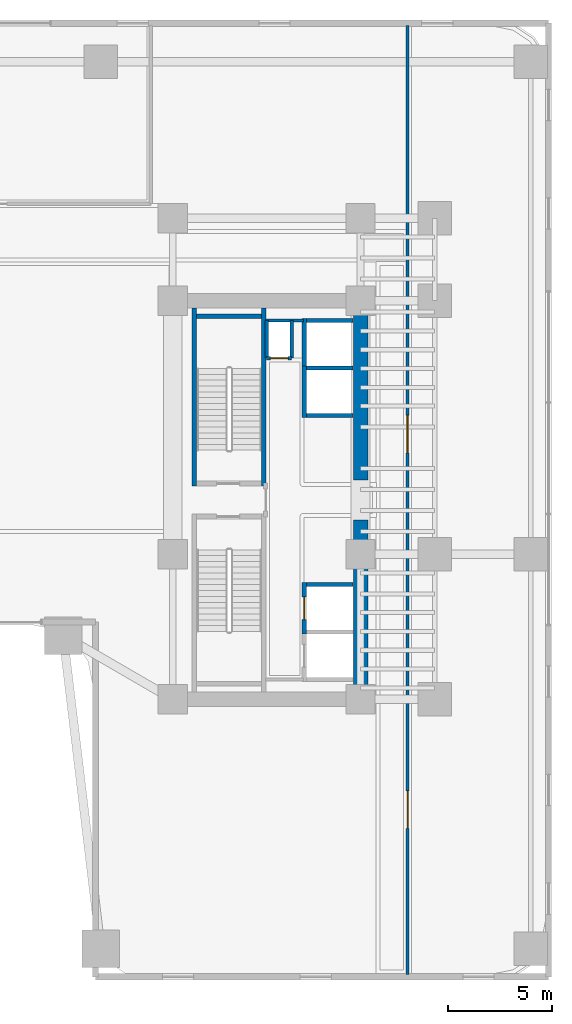
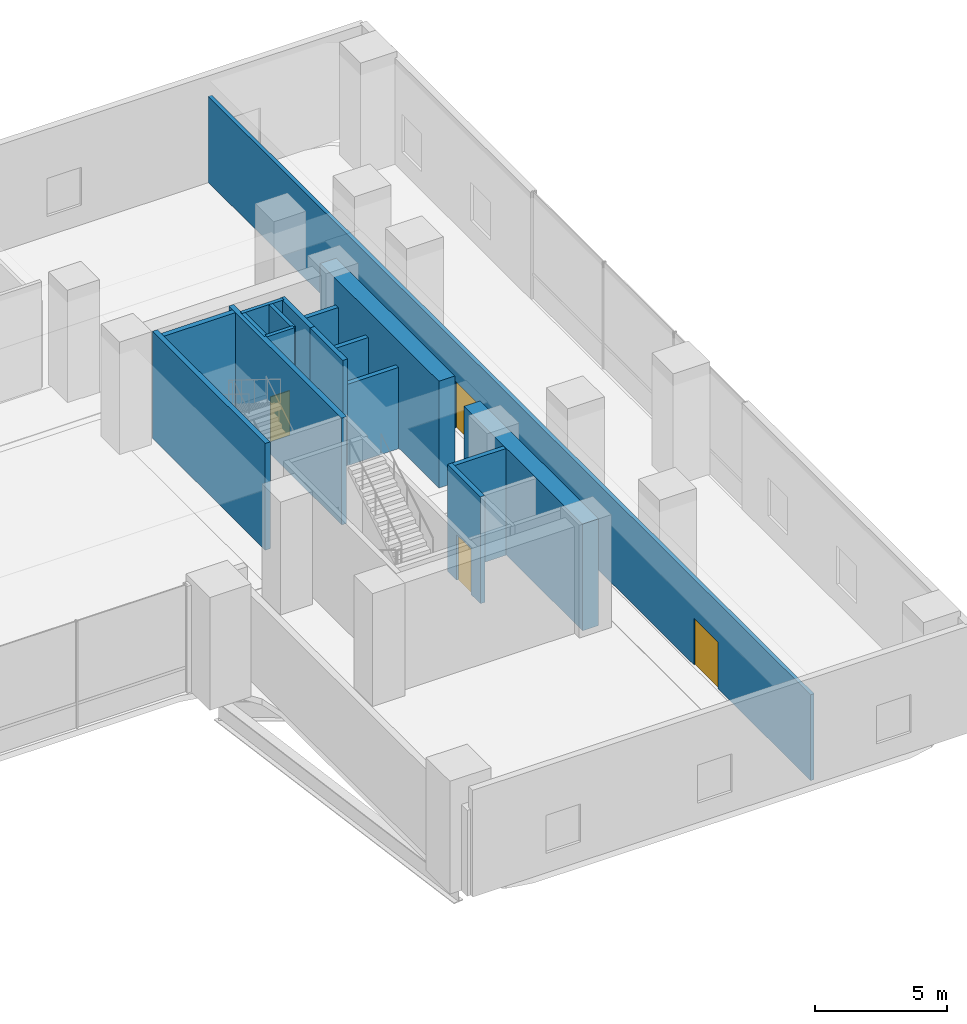
# One storey, part 28 of 39: 17 walls, 4 doors, 4 openings.
"""IFC4 building model written with IfcOpenShell, lengths in metres."""

from ifc_helpers import new_model, si_unit, direction, frame, frame_2d, origin, place, context, subcontext, project, spatial, rectangle, extrude, material, layer, layer_set, type_object, element, fill, save


model = new_model("IFC4")

# Units and contexts
model_context = context("Model", 3, precision=1e-05, world=origin(), true_north=direction((0.0, 1.0)))
body_context = subcontext(model_context, "Body", "Model", "MODEL_VIEW")
ifc_project = project(units=[si_unit("LENGTHUNIT", "METRE"), si_unit("AREAUNIT", "SQUARE_METRE"), si_unit("VOLUMEUNIT", "CUBIC_METRE"), si_unit("PLANEANGLEUNIT", "RADIAN"), si_unit("MASSUNIT", "GRAM", prefix="KILO")], contexts=[model_context])

# Site, building, storey
site_placement = place(None, origin())
site = spatial("IfcSite", under=ifc_project, at=site_placement, CompositionType="ELEMENT")
building_placement = place(site_placement, origin())
building = spatial("IfcBuilding", under=site, at=building_placement, Name="Valdorenza Pilgrim Sanctuary Tower", CompositionType="ELEMENT")
storey_placement = place(building_placement, frame((0.0, 0.0, 5.199951171875)))
storey = spatial("IfcBuildingStorey", under=building, at=storey_placement, Name="L01", CompositionType="ELEMENT", Elevation=5.199951171875)

# Wall, opening, door
ifc_material_1 = material(Name="Acoustic twin-stud gypsum partition", Category="gypsum")
ifc_layer_1 = layer(ifc_material_1, 0.159912109375, Name="Acoustic twin-stud gypsum partition")
ifc_layer_set_1 = layer_set([ifc_layer_1], Name="Acoustic twin-stud gypsum partition")
wall_type_1 = type_object("IfcWallType", Name="WAL-COR-160", PredefinedType="PARTITIONING", material=ifc_layer_set_1)
wall_1_placement = place(storey_placement, frame((20.35009765625, 6.800048828125, 0.0), z_axis=(0.0, 0.0, 1.0), x_axis=(1.0, 0.0, 0.0)))
wall_1 = element("IfcWall", 1, at=wall_1_placement, inside=storey, type_object=wall_type_1, Name="L01 Core B Riser South Wall", PredefinedType="PARTITIONING", context=body_context, shape_type="SweptSolid", body=[
    extrude(rectangle(XDim=1.199951171875, YDim=0.159912109375, at=frame_2d((0.60009765625, 0.0))), origin(), (0.0, 0.0, 1.0), 4.920166015625),
])
opening_1_placement = place(wall_1_placement, frame((0.175048828125, 0.0, 0.0)))
opening_1 = element("IfcOpeningElement", 2, at=opening_1_placement, cuts=wall_1, Name="Opening DR-RS1", PredefinedType="OPENING", context=body_context, shape_type="SweptSolid", body=[
    extrude(rectangle(XDim=0.85009765625, YDim=2.050048828125, at=frame_2d((0.425048828125, 1.02490234375))), frame((0.0, 0.0947265625, 0.0), z_axis=(0.0, -1.0, 0.0), x_axis=(1.0, 0.0, 0.0)), (0.0, 0.0, 1.0), 0.189697265625),
])
ifc_material_2 = material(Name="Painted galvanized steel", Category="steel")
door_type_1 = type_object("IfcDoorType", Name="DR-RSR-850", OperationType="NOTDEFINED", PredefinedType="DOOR", material=ifc_material_2)
door_1_placement = place(opening_1_placement, origin())
door_1 = element("IfcDoor", 3, at=door_1_placement, inside=storey, type_object=door_type_1, Name="L01 Core B Electrical Riser Door", OperationType="SINGLE_SWING_LEFT", OverallHeight=2.050048828125, OverallWidth=0.85009765625, PredefinedType="DOOR", context=body_context, shape_type="SweptSolid", body=[
    extrude(rectangle(XDim=0.85009765625, YDim=2.050048828125, at=frame_2d((0.425048828125, 1.02490234375))), frame((0.0, 0.02490234375, 0.0), z_axis=(0.0, -1.0, 0.0), x_axis=(1.0, 0.0, 0.0)), (0.0, 0.0, 1.0), 0.050048828125),
])
fill(opening_1, door_1)

# Walls
for number, where, z_axis, x_axis, name in (
    (4, (21.550048828125, 6.800048828125, 0.0), (0.0, 0.0, 1.0), (0.0, 1.0, 0.0), "L01 Core B Riser East Wall"),
    (5, (20.35009765625, 6.800048828125, 0.0), (0.0, 0.0, 1.0), (0.0, 1.0, 0.0), "L01 Core B Riser West Wall"),
):
    element("IfcWall", number, at=place(storey_placement, frame(where, z_axis=z_axis, x_axis=x_axis)), inside=storey, type_object=wall_type_1, Name=name, PredefinedType="PARTITIONING", context=body_context, shape_type="SweptSolid", body=[
        extrude(rectangle(XDim=1.800048828125, YDim=0.159912109375, at=frame_2d((0.89990234375, 0.0))), origin(), (0.0, 0.0, 1.0), 4.920166015625),
    ])
wall_2_placement = place(storey_placement, frame((20.300048828125, 8.60009765625, 0.0), z_axis=(0.0, 0.0, 1.0), x_axis=(1.0, 0.0, 0.0)))
element("IfcWall", 6, at=wall_2_placement, inside=storey, type_object=wall_type_1, Name="L01 Core B Lift Hall North End Wall", PredefinedType="PARTITIONING", context=body_context, shape_type="SweptSolid", body=[
    extrude(rectangle(XDim=1.820068359375, YDim=0.159912109375, at=frame_2d((0.91015625, 0.0))), origin(), (0.0, 0.0, 1.0), 4.920166015625),
])

# Wall, openings, doors
wall_3_placement = place(storey_placement, frame((27.10009765625, -22.739990234375, 0.0), z_axis=(0.0, 0.0, 1.0), x_axis=(0.0, 1.0, 0.0)))
wall_3 = element("IfcWall", 7, at=wall_3_placement, inside=storey, type_object=wall_type_1, Name="L01 L01 East Hall Wall", PredefinedType="PARTITIONING", context=body_context, shape_type="SweptSolid", body=[
    extrude(rectangle(XDim=45.47998046875, YDim=0.159912109375, at=frame_2d((22.739990234375, 0.0))), origin(), (0.0, 0.0, 1.0), 3.95703125),
])
opening_2_placement = place(wall_3_placement, frame((7.0, 0.0, 0.0)))
opening_2 = element("IfcOpeningElement", 8, at=opening_2_placement, cuts=wall_3, Name="Opening DR-HL1", PredefinedType="OPENING", context=body_context, shape_type="SweptSolid", body=[
    extrude(rectangle(XDim=1.800048828125, YDim=2.14990234375, at=frame_2d((0.89990234375, 1.074951171875))), frame((0.0, 0.0947265625, 0.0), z_axis=(0.0, -1.0, 0.0), x_axis=(1.0, 0.0, 0.0)), (0.0, 0.0, 1.0), 0.189697265625),
])
opening_3_placement = place(wall_3_placement, frame((25.0, 0.0, 0.0)))
opening_3 = element("IfcOpeningElement", 9, at=opening_3_placement, cuts=wall_3, Name="Opening DR-HL1", PredefinedType="OPENING", context=body_context, shape_type="SweptSolid", body=[
    extrude(rectangle(XDim=1.800048828125, YDim=2.14990234375, at=frame_2d((0.89990234375, 1.074951171875))), frame((0.0, 0.0947265625, 0.0), z_axis=(0.0, -1.0, 0.0), x_axis=(1.0, 0.0, 0.0)), (0.0, 0.0, 1.0), 0.189697265625),
])
ifc_material_3 = material(Name="Acoustic oak and vision-glass double door", Category="glass")
door_type_2 = type_object("IfcDoorType", Name="DR-HALL-1800", OperationType="NOTDEFINED", PredefinedType="DOOR", material=ifc_material_3)
door_2_placement = place(opening_2_placement, origin())
door_2 = element("IfcDoor", 10, at=door_2_placement, inside=storey, type_object=door_type_2, Name="L01 Sanctuary Administration Office South Double Door", OperationType="DOUBLE_DOOR_SINGLE_SWING", OverallHeight=2.14990234375, OverallWidth=1.800048828125, PredefinedType="DOOR", context=body_context, shape_type="SweptSolid", body=[
    extrude(rectangle(XDim=1.800048828125, YDim=2.14990234375, at=frame_2d((0.89990234375, 1.074951171875))), frame((0.0, 0.02490234375, 0.0), z_axis=(0.0, -1.0, 0.0), x_axis=(1.0, 0.0, 0.0)), (0.0, 0.0, 1.0), 0.050048828125),
])
fill(opening_2, door_2)
door_3_placement = place(opening_3_placement, frame((1.800048828125, 0.0, 0.0), z_axis=(0.0, 0.0, 1.0), x_axis=(-1.0, 0.0, 0.0)))
door_3 = element("IfcDoor", 11, at=door_3_placement, inside=storey, type_object=door_type_2, Name="L01 Sanctuary Administration Office North Double Door", OperationType="DOUBLE_DOOR_SINGLE_SWING", OverallHeight=2.14990234375, OverallWidth=1.800048828125, PredefinedType="DOOR", context=body_context, shape_type="SweptSolid", body=[
    extrude(rectangle(XDim=1.800048828125, YDim=2.14990234375, at=frame_2d((0.89990234375, 1.074951171875))), frame((0.0, 0.02490234375, 0.0), z_axis=(0.0, -1.0, 0.0), x_axis=(1.0, 0.0, 0.0)), (0.0, 0.0, 1.0), 0.050048828125),
])
fill(opening_3, door_3)

# Walls
ifc_material_4 = material(Name="Concrete C60/75", Category="concrete")
ifc_layer_2 = layer(ifc_material_4, 0.699951171875, Name="Concrete C60/75")
ifc_layer_set_2 = layer_set([ifc_layer_2], Name="Concrete C60/75")
wall_type_2 = type_object("IfcWallType", Name="WAL-COR-700", PredefinedType="SHEAR", material=ifc_layer_set_2)
for number, where, z_axis, x_axis, name in (
    (12, (24.85009765625, -9.89990234375, 0.0), (0.0, 0.0, 1.0), (0.0, 1.0, 0.0), "L01 Split Core B Shear Wall ES"),
    (13, (24.85009765625, 0.949951171875, 0.0), (0.0, 0.0, 1.0), (0.0, 1.0, 0.0), "L01 Split Core B Shear Wall EN"),
):
    element("IfcWall", number, at=place(storey_placement, frame(where, z_axis=z_axis, x_axis=x_axis)), inside=storey, type_object=wall_type_2, Name=name, PredefinedType="SHEAR", context=body_context, shape_type="SweptSolid", body=[
        extrude(rectangle(XDim=8.949951171875, YDim=0.699951171875, at=frame_2d((4.47509765625, 0.0))), origin(), (0.0, 0.0, 1.0), 4.920166015625),
    ])

# Wall, opening, door
ifc_material_5 = material(Name="Autoclaved aerated concrete blockwork", Category="masonry")
ifc_layer_3 = layer(ifc_material_5, 0.199951171875, Name="Autoclaved aerated concrete blockwork")
ifc_layer_set_3 = layer_set([ifc_layer_3], Name="Autoclaved aerated concrete blockwork")
wall_type_3 = type_object("IfcWallType", Name="WAL-SHF-200", PredefinedType="MOVABLE", material=ifc_layer_set_3)
wall_4_placement = place(storey_placement, frame((22.14990234375, -6.425048828125, 0.0), z_axis=(0.0, 0.0, 1.0), x_axis=(0.0, 1.0, 0.0)))
wall_4 = element("IfcWall", 14, at=wall_4_placement, inside=storey, type_object=wall_type_3, Name="L01 Lift PL-04 Hoistway Wall West", PredefinedType="MOVABLE", context=body_context, shape_type="SweptSolid", body=[
    extrude(rectangle(XDim=2.47509765625, YDim=0.199951171875, at=frame_2d((1.237548828125, 0.0))), origin(), (0.0, 0.0, 1.0), 4.920166015625),
])
opening_4_placement = place(wall_4_placement, frame((0.6875, 0.0, 0.0)))
opening_4 = element("IfcOpeningElement", 15, at=opening_4_placement, cuts=wall_4, Name="Opening LD-01", PredefinedType="OPENING", context=body_context, shape_type="SweptSolid", body=[
    extrude(rectangle(XDim=1.10009765625, YDim=2.10009765625, at=frame_2d((0.550048828125, 1.050048828125))), frame((0.0, 0.11474609375, 0.0), z_axis=(0.0, -1.0, 0.0), x_axis=(1.0, 0.0, 0.0)), (0.0, 0.0, 1.0), 0.229736328125),
])
ifc_material_6 = material(Name="Brushed stainless steel Grade 316", Category="steel")
door_type_3 = type_object("IfcDoorType", Name="DR-LFT-1100", OperationType="DOUBLE_DOOR_SLIDING", PredefinedType="DOOR", material=ifc_material_6)
door_4_placement = place(opening_4_placement, origin())
door_4 = element("IfcDoor", 16, at=door_4_placement, inside=storey, type_object=door_type_3, Name="L01 Lift PL-04 Sliding Landing Door", OperationType="DOUBLE_DOOR_SLIDING", OverallHeight=2.10009765625, OverallWidth=1.10009765625, PredefinedType="DOOR", context=body_context, shape_type="SweptSolid", body=[
    extrude(rectangle(XDim=1.10009765625, YDim=2.10009765625, at=frame_2d((0.550048828125, 1.050048828125))), frame((0.0, 0.02490234375, 0.0), z_axis=(0.0, -1.0, 0.0), x_axis=(1.0, 0.0, 0.0)), (0.0, 0.0, 1.0), 0.050048828125),
])
fill(opening_4, door_4)

# Walls
wall_5_placement = place(storey_placement, frame((22.25, -4.050048828125, 0.0), z_axis=(0.0, 0.0, 1.0), x_axis=(1.0, 0.0, 0.0)))
element("IfcWall", 17, at=wall_5_placement, inside=storey, type_object=wall_type_3, Name="L01 Lift PL-04 Hoistway Wall North", PredefinedType="MOVABLE", context=body_context, shape_type="SweptSolid", body=[
    extrude(rectangle(XDim=2.22998046875, YDim=0.199951171875, at=frame_2d((1.114990234375, 0.0))), origin(), (0.0, 0.0, 1.0), 4.920166015625),
])
wall_6_placement = place(storey_placement, frame((22.14990234375, 3.949951171875, 0.0), z_axis=(0.0, 0.0, 1.0), x_axis=(0.0, 1.0, 0.0)))
element("IfcWall", 18, at=wall_6_placement, inside=storey, type_object=wall_type_3, Name="L01 Lift PL-07 Hoistway Wall West", PredefinedType="MOVABLE", context=body_context, shape_type="SweptSolid", body=[
    extrude(rectangle(XDim=2.47509765625, YDim=0.199951171875, at=frame_2d((1.237548828125, 0.0))), origin(), (0.0, 0.0, 1.0), 4.920166015625),
])
for number, where, z_axis, x_axis, name in (
    (19, (22.25, 4.050048828125, 0.0), (0.0, 0.0, 1.0), (1.0, 0.0, 0.0), "L01 Lift PL-07 Hoistway Wall South"),
    (20, (22.25, 6.324951171875, 0.0), (0.0, 0.0, 1.0), (1.0, 0.0, 0.0), "L01 Lift PL-07 Hoistway Wall North"),
):
    element("IfcWall", number, at=place(storey_placement, frame(where, z_axis=z_axis, x_axis=x_axis)), inside=storey, type_object=wall_type_3, Name=name, PredefinedType="MOVABLE", context=body_context, shape_type="SweptSolid", body=[
        extrude(rectangle(XDim=2.22998046875, YDim=0.199951171875, at=frame_2d((1.114990234375, 0.0))), origin(), (0.0, 0.0, 1.0), 3.7451171875),
    ])
wall_7_placement = place(storey_placement, frame((22.14990234375, 6.22509765625, 0.0), z_axis=(0.0, 0.0, 1.0), x_axis=(0.0, 1.0, 0.0)))
element("IfcWall", 21, at=wall_7_placement, inside=storey, type_object=wall_type_3, Name="L01 Lift PL-08 Hoistway Wall West", PredefinedType="MOVABLE", context=body_context, shape_type="SweptSolid", body=[
    extrude(rectangle(XDim=2.474853515625, YDim=0.199951171875, at=frame_2d((1.2373046875, 0.0))), origin(), (0.0, 0.0, 1.0), 4.920166015625),
])
wall_8_placement = place(storey_placement, frame((22.25, 8.60009765625, 0.0), z_axis=(0.0, 0.0, 1.0), x_axis=(1.0, 0.0, 0.0)))
element("IfcWall", 22, at=wall_8_placement, inside=storey, type_object=wall_type_3, Name="L01 Lift PL-08 Hoistway Wall North", PredefinedType="MOVABLE", context=body_context, shape_type="SweptSolid", body=[
    extrude(rectangle(XDim=2.22998046875, YDim=0.199951171875, at=frame_2d((1.114990234375, 0.0))), origin(), (0.0, 0.0, 1.0), 3.7451171875),
])
ifc_material_7 = material(Name="Concrete C40/50", Category="concrete")
ifc_layer_4 = layer(ifc_material_7, 0.219970703125, Name="Concrete C40/50")
ifc_layer_set_4 = layer_set([ifc_layer_4], Name="Concrete C40/50")
wall_type_4 = type_object("IfcWallType", Name="WAL-STR-SHF-220", PredefinedType="SHEAR", material=ifc_layer_set_4)
for number, where, z_axis, x_axis, name in (
    (23, (16.889892578125, 0.679931640625, 0.0), (0.0, 0.0, 1.0), (0.0, 1.0, 0.0), "L01 ST-B1 Structural Stairwell Wall W"),
    (24, (20.219970703125, 0.679931640625, 0.0), (0.0, 0.0, 1.0), (0.0, 1.0, 0.0), "L01 ST-B1 Structural Stairwell Wall E"),
):
    element("IfcWall", number, at=place(storey_placement, frame(where, z_axis=z_axis, x_axis=x_axis)), inside=storey, type_object=wall_type_4, Name=name, PredefinedType="SHEAR", context=body_context, shape_type="SweptSolid", body=[
        extrude(rectangle(XDim=8.52001953125, YDim=0.219970703125, at=frame_2d((4.260009765625, 0.0))), origin(), (0.0, 0.0, 1.0), 4.920166015625),
    ])
wall_9_placement = place(storey_placement, frame((17.0, 8.81005859375, 0.0), z_axis=(0.0, 0.0, 1.0), x_axis=(1.0, 0.0, 0.0)))
element("IfcWall", 25, at=wall_9_placement, inside=storey, type_object=wall_type_4, Name="L01 ST-B1 Structural Stairwell Wall N", PredefinedType="SHEAR", context=body_context, shape_type="SweptSolid", body=[
    extrude(rectangle(XDim=3.110107421875, YDim=0.219970703125, at=frame_2d((1.55517578125, 0.0))), origin(), (0.0, 0.0, 1.0), 4.920166015625),
])

save(model, "model.ifc")
